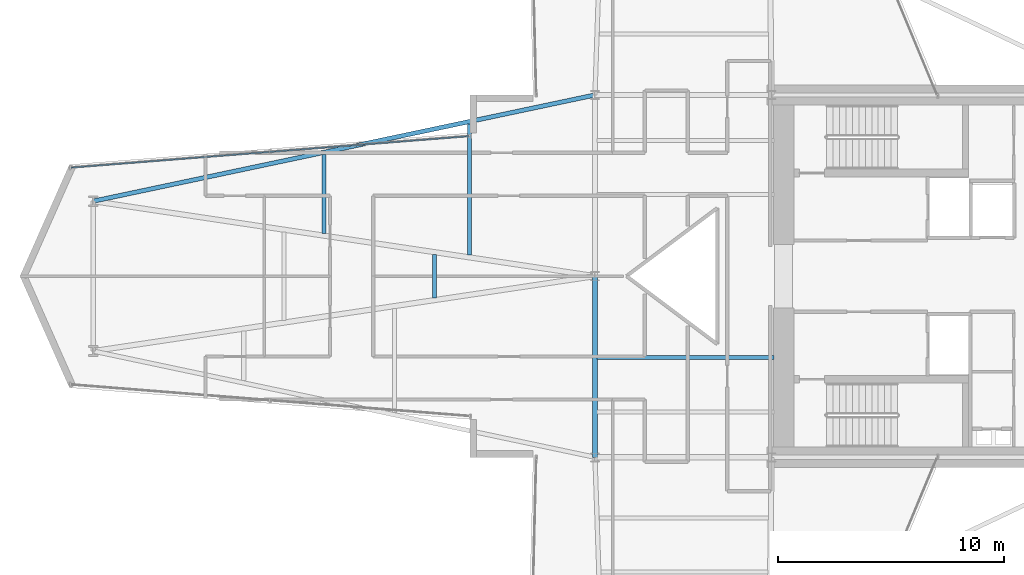
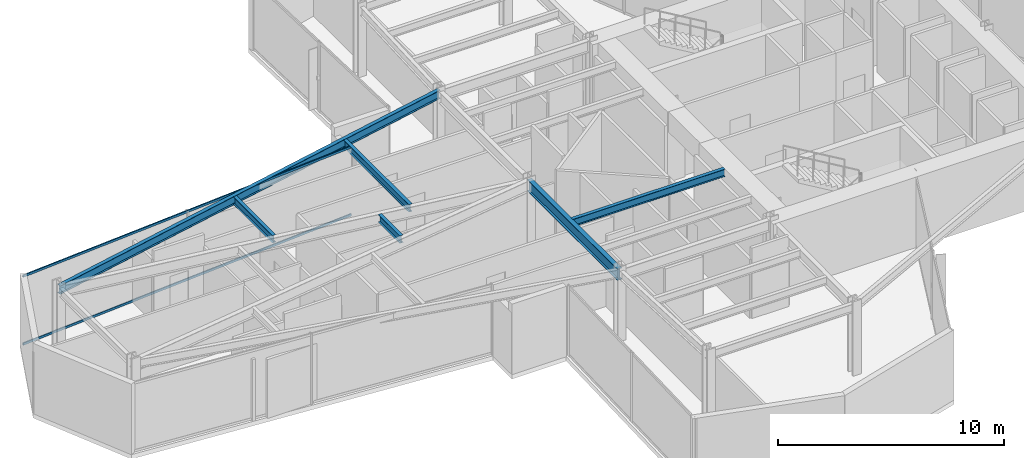
# One storey, part 8 of 24: 6 beams, 2 members, 1 element without a shape of its own.
"""IFC4 building model written with IfcOpenShell, lengths in metres."""

import ifcopenshell
import ifcopenshell.guid

model = None  # the IFC model being written
_history = None  # IfcOwnerHistory: only IFC2X3 demands one
_inside = {}  # id of a spatial element -> (the spatial element, [elements in it])
_under = {}  # id of a project, library or spatial element -> (it, [spatial elements below it])
_declared = {}  # id of a project -> (the project, [libraries it declares])
_typed = {}  # id of a type object -> (the type object, [elements of that type])
_made_of = {}  # id of a material, layer set ... -> (it, [elements and type objects made of it])


def new_model(schema):
    """Start an empty IFC model of exactly this schema.

    Asked for "IFC4X3", IfcOpenShell would pick the latest addendum, in which some entities
    have other attributes; the version numbers below select the first issue.
    IFC2X3 requires an IfcOwnerHistory on every rooted entity: one is made here for all.
    """
    global model, _history
    if schema == "IFC4X3":
        model = ifcopenshell.file(schema_version=(4, 3, 0, 0))
    else:
        model = ifcopenshell.file(schema=schema)
    _inside.clear()
    _under.clear()
    _declared.clear()
    _typed.clear()
    _made_of.clear()
    _history = None
    if model.schema == "IFC2X3":
        org = make("IfcOrganization", Name="unknown")
        user = make(
            "IfcPersonAndOrganization",
            ThePerson=make("IfcPerson", FamilyName="unknown"),
            TheOrganization=org,
        )
        app = make(
            "IfcApplication",
            ApplicationDeveloper=org,
            Version="unknown",
            ApplicationFullName="unknown",
            ApplicationIdentifier="unknown",
        )
        _history = make(
            "IfcOwnerHistory",
            OwningUser=user,
            OwningApplication=app,
            ChangeAction="ADDED",
            CreationDate=0,
        )
    return model


def make(cls, **values):
    """One entity of the class cls with the attributes given. An attribute that is None is left unset."""
    return model.create_entity(
        cls, **{name: value for name, value in values.items() if value is not None}
    )


def rooted(cls, **values):
    """An entity with a GlobalId (a new one), such as an element, a storey or a relation."""
    return make(cls, GlobalId=ifcopenshell.guid.new(), OwnerHistory=_history, **values)


def si_unit(unit_type, name, prefix=None):
    """IfcSIUnit, for example si_unit("LENGTHUNIT", "METRE", prefix="MILLI")."""
    return make("IfcSIUnit", UnitType=unit_type, Prefix=prefix, Name=name)


def assignment(units):
    """IfcUnitAssignment: the units of a project."""
    return None if units is None else make("IfcUnitAssignment", Units=units)


def point(xyz):
    """IfcCartesianPoint."""
    return None if xyz is None else make("IfcCartesianPoint", Coordinates=xyz)


def direction(xyz):
    """IfcDirection."""
    return None if xyz is None else make("IfcDirection", DirectionRatios=xyz)


def frame(location, z_axis=None, x_axis=None):
    """IfcAxis2Placement3D, a coordinate frame: its origin and axes. An axis left out is left unset."""
    return make(
        "IfcAxis2Placement3D",
        Location=point(location),
        Axis=direction(z_axis),
        RefDirection=direction(x_axis),
    )


def frame_2d(location, x_axis=None):
    """IfcAxis2Placement2D, a coordinate frame in the plane: its origin and x axis."""
    return make(
        "IfcAxis2Placement2D", Location=point(location), RefDirection=direction(x_axis)
    )


def origin():
    """The frame at (0, 0, 0) with its axes left unset."""
    return frame((0.0, 0.0, 0.0))


def origin_2d():
    """The frame at (0, 0) in the plane with its x axis left unset."""
    return frame_2d((0.0, 0.0))


def place(relative_to, where):
    """IfcLocalPlacement: puts the frame where relative to a parent placement (None: the world)."""
    return make(
        "IfcLocalPlacement", PlacementRelTo=relative_to, RelativePlacement=where
    )


def context(
    kind, dimensions, precision=None, world=None, true_north=None, identifier=None
):
    """IfcGeometricRepresentationContext, for example the 3D "Model" context."""
    return make(
        "IfcGeometricRepresentationContext",
        ContextIdentifier=identifier,
        ContextType=kind,
        CoordinateSpaceDimension=dimensions,
        Precision=precision,
        WorldCoordinateSystem=world,
        TrueNorth=true_north,
    )


def subcontext(parent, identifier, kind, view, scale=None):
    """IfcGeometricRepresentationSubContext, for example "Body" below "Model"."""
    return make(
        "IfcGeometricRepresentationSubContext",
        ContextIdentifier=identifier,
        ContextType=kind,
        ParentContext=parent,
        TargetScale=scale,
        TargetView=view,
    )


def project(units=None, contexts=None):
    """IfcProject with its units and contexts."""
    return rooted(
        "IfcProject",
        Name="project",
        RepresentationContexts=contexts,
        UnitsInContext=assignment(units),
    )


def spatial(cls, under=None, at=None, **own):
    """A site, building, storey or space (cls), placed at a placement, below another one or the project."""
    s = rooted(cls, ObjectPlacement=at, **own)
    if under is not None:
        _under.setdefault(under.id(), (under, []))[1].append(s)
    return s


def profile(cls, at=None, kind="AREA", **sizes):
    """A parametric profile (cls). Its sizes go by their IFC names, for example OverallWidth=200.0."""
    return make(cls, ProfileType=kind, Position=at, **sizes)


def hollow_rectangle(**sizes):
    """IfcRectangleHollowProfileDef."""
    return profile("IfcRectangleHollowProfileDef", **sizes)


def i_section(**sizes):
    """IfcIShapeProfileDef."""
    return profile("IfcIShapeProfileDef", **sizes)


def extrude(swept, where, along, depth):
    """IfcExtrudedAreaSolid: the profile swept, set in the frame where, extruded along a direction by depth."""
    return make(
        "IfcExtrudedAreaSolid",
        SweptArea=swept,
        Position=where,
        ExtrudedDirection=direction(along),
        Depth=depth,
    )


def shape(context_of_items, identifier, shape_type, items):
    """IfcShapeRepresentation: the items that make up one representation, for example the "Body"."""
    return make(
        "IfcShapeRepresentation",
        ContextOfItems=context_of_items,
        RepresentationIdentifier=identifier,
        RepresentationType=shape_type,
        Items=items,
    )


def material(Name=None, Category=None):
    """IfcMaterial."""
    return make("IfcMaterial", Name=Name, Category=Category)


def layer(
    of_material, thickness, ventilated=None, Name=None, Category=None, Priority=None
):
    """IfcMaterialLayer: one layer of a wall or slab, of a material (None: an air gap)."""
    return make(
        "IfcMaterialLayer",
        Material=of_material,
        LayerThickness=thickness,
        IsVentilated=ventilated,
        Name=Name,
        Category=Category,
        Priority=Priority,
    )


def layer_set(layers, Name=None):
    """IfcMaterialLayerSet."""
    return make("IfcMaterialLayerSet", MaterialLayers=layers, LayerSetName=Name)


def material_profile(
    of_material, cross_section, Name=None, Category=None, Priority=None
):
    """IfcMaterialProfile: a cross section and its material."""
    return make(
        "IfcMaterialProfile",
        Name=Name,
        Material=of_material,
        Profile=cross_section,
        Priority=Priority,
        Category=Category,
    )


def profile_set(profiles, Name=None, composite=None):
    """IfcMaterialProfileSet."""
    return make(
        "IfcMaterialProfileSet",
        Name=Name,
        MaterialProfiles=profiles,
        CompositeProfile=composite,
    )


def made_of(thing, what):
    """Note that an element or type object is made of a material, layer set ...; save() writes the relation."""
    if what is not None:
        _made_of.setdefault(what.id(), (what, []))[1].append(thing)
    return thing


def type_object(cls, material=None, **own):
    """A type object (cls), such as IfcWallType, which elements share."""
    return made_of(rooted(cls, **own), material)


def element(
    cls,
    number,
    at=None,
    inside=None,
    cuts=None,
    type_object=None,
    material=None,
    context=None,
    identifier="Body",
    shape_type=None,
    held_by="IfcProductDefinitionShape",
    body=None,
    shapes=None,
    **own,
):
    """One element of the class cls, such as IfcWall. Its Tag is "e" and its number.

    at: its placement. inside: the storey or other place that contains it. cuts: it is an
    opening in that element (IfcRelVoidsElement). A single representation is given by context,
    identifier, shape_type and body (its items); several are given by shapes. held_by: the class
    of the entity that holds the representations. save() writes the other relations.
    """
    e = rooted(cls, Tag="e%d" % number, ObjectPlacement=at, **own)
    if body is not None:
        shapes = [shape(context, identifier, shape_type, body)]
    if shapes is not None:
        e.Representation = make(held_by, Representations=shapes)
    if inside is not None:
        _inside.setdefault(inside.id(), (inside, []))[1].append(e)
    if cuts is not None:
        rooted(
            "IfcRelVoidsElement", RelatingBuildingElement=cuts, RelatedOpeningElement=e
        )
    if type_object is not None:
        _typed.setdefault(type_object.id(), (type_object, []))[1].append(e)
    return made_of(e, material)


def aggregate(whole, parts):
    """IfcRelAggregates: a whole, such as a stair, and the parts it consists of."""
    return rooted("IfcRelAggregates", RelatingObject=whole, RelatedObjects=parts)


def save(model, path):
    """Write the relations noted so far, then the file.

    IfcRelAggregates (storeys below a building ...), IfcRelContainedInSpatialStructure (elements
    in a storey), IfcRelDefinesByType, IfcRelAssociatesMaterial and IfcRelDeclares: one each for
    every whole, place, type object, material and project.
    """
    for whole, parts in _under.values():
        aggregate(whole, parts)
    for where, things in _inside.values():
        rooted(
            "IfcRelContainedInSpatialStructure",
            RelatedElements=things,
            RelatingStructure=where,
        )
    for kind, things in _typed.values():
        rooted("IfcRelDefinesByType", RelatedObjects=things, RelatingType=kind)
    for what, things in _made_of.values():
        rooted("IfcRelAssociatesMaterial", RelatedObjects=things, RelatingMaterial=what)
    for by, libraries in _declared.values():
        rooted("IfcRelDeclares", RelatingContext=by, RelatedDefinitions=libraries)
    model.write(path)


model = new_model("IFC4")

# Units and contexts
model_context = context("Model", 3, precision=1e-05, world=origin(), true_north=direction((0.0, 1.0)))
body_context = subcontext(model_context, "Body", "Model", "MODEL_VIEW")
ifc_project = project(units=[si_unit("LENGTHUNIT", "METRE"), si_unit("AREAUNIT", "SQUARE_METRE"), si_unit("VOLUMEUNIT", "CUBIC_METRE"), si_unit("PLANEANGLEUNIT", "RADIAN"), si_unit("MASSUNIT", "GRAM", prefix="KILO")], contexts=[model_context])

# Site, building, storey
site_placement = place(None, origin())
site = spatial("IfcSite", under=ifc_project, at=site_placement, CompositionType="ELEMENT")
building_placement = place(site_placement, origin())
building = spatial("IfcBuilding", under=site, at=building_placement, Name="Veymaron Broadcast Tower", CompositionType="ELEMENT")
storey_placement = place(building_placement, frame((0.0, 0.0, 78.300048828125)))
storey = spatial("IfcBuildingStorey", under=building, at=storey_placement, Name="L17", CompositionType="ELEMENT", Elevation=78.300048828125)

# Beams
ifc_material_1 = material(Name="Structural steel ASTM A992 Gr 50", Category="steel")
ifc_material_profile_1 = material_profile(ifc_material_1, i_section(OverallWidth=0.22998046875, OverallDepth=0.616943359375, WebThickness=0.01318359375, FlangeThickness=0.022216796875, at=origin_2d()), Name="W610X140")
ifc_profile_set_1 = profile_set([ifc_material_profile_1], Name="Structural steel ASTM A992 Gr 50")
beam_type_1 = type_object("IfcBeamType", Name="BM-FG1", PredefinedType="BEAM", material=ifc_profile_set_1)
beam_1_placement = place(storey_placement, frame((31.199951171875, 16.0, 3.50146484375), z_axis=(0.0, 1.0, 0.0), x_axis=(-1.0, 0.0, 0.0)))
element("IfcBeam", 1, at=beam_1_placement, inside=storey, type_object=beam_type_1, Name="L17 primary structural floor girder", PredefinedType="BEAM", context=body_context, shape_type="SweptSolid", body=[
    extrude(i_section(OverallWidth=0.22998046875, OverallDepth=0.616943359375, WebThickness=0.01318359375, FlangeThickness=0.022216796875, at=origin_2d()), origin(), (0.0, 0.0, 1.0), 8.0),
])
ifc_material_profile_2 = material_profile(ifc_material_1, i_section(OverallWidth=0.177978515625, OverallDepth=0.406982421875, WebThickness=0.0078125, FlangeThickness=0.0126953125, at=origin_2d()), Name="W410X60")
ifc_profile_set_2 = profile_set([ifc_material_profile_2], Name="Structural steel ASTM A992 Gr 50")
beam_type_2 = type_object("IfcBeamType", Name="BM-JS1", PredefinedType="JOIST", material=ifc_profile_set_2)
beam_2_placement = place(storey_placement, frame((19.234619140625, 25.887451171875, 3.6064453125), z_axis=(0.0, 1.0, 0.0), x_axis=(-1.0, 0.0, 0.0)))
element("IfcBeam", 2, at=beam_2_placement, inside=storey, type_object=beam_type_2, Name="L17 Arm-A secondary joist 1N", PredefinedType="JOIST", context=body_context, shape_type="SweptSolid", body=[
    extrude(i_section(OverallWidth=0.177978515625, OverallDepth=0.406982421875, WebThickness=0.0078125, FlangeThickness=0.0126953125, at=origin_2d()), origin(), (0.0, 0.0, 1.0), 3.47998046875),
])
beam_3_placement = place(storey_placement, frame((24.109375, 23.040771484375, 3.6064453125), z_axis=(0.0, 1.0, 0.0), x_axis=(-1.0, 0.0, 0.0)))
element("IfcBeam", 3, at=beam_3_placement, inside=storey, type_object=beam_type_2, Name="L17 Arm-A secondary joist 2M", PredefinedType="JOIST", context=body_context, shape_type="SweptSolid", body=[
    extrude(i_section(OverallWidth=0.177978515625, OverallDepth=0.406982421875, WebThickness=0.0078125, FlangeThickness=0.0126953125, at=origin_2d()), origin(), (0.0, 0.0, 1.0), 1.91845703125),
])
beam_4_placement = place(storey_placement, frame((25.660400390625, 24.927490234375, 3.6064453125), z_axis=(0.0, 1.0, 0.0), x_axis=(-1.0, 0.0, 0.0)))
element("IfcBeam", 4, at=beam_4_placement, inside=storey, type_object=beam_type_2, Name="L17 Arm-A secondary joist 2N", PredefinedType="JOIST", context=body_context, shape_type="SweptSolid", body=[
    extrude(i_section(OverallWidth=0.177978515625, OverallDepth=0.406982421875, WebThickness=0.0078125, FlangeThickness=0.0126953125, at=origin_2d()), origin(), (0.0, 0.0, 1.0), 5.800048828125),
])
beam_5_placement = place(storey_placement, frame((31.300048828125, 20.39990234375, 3.6064453125), z_axis=(1.0, 0.0, 0.0), x_axis=(0.0, 1.0, 0.0)))
element("IfcBeam", 5, at=beam_5_placement, inside=storey, type_object=beam_type_2, Name="L17 Hub secondary joist 2", PredefinedType="JOIST", context=body_context, shape_type="SweptSolid", body=[
    extrude(i_section(OverallWidth=0.177978515625, OverallDepth=0.406982421875, WebThickness=0.0078125, FlangeThickness=0.0126953125, at=origin_2d()), origin(), (0.0, 0.0, 1.0), 7.800048828125),
])
ifc_material_profile_3 = material_profile(ifc_material_1, i_section(OverallWidth=0.19091796875, OverallDepth=0.4599609375, WebThickness=0.010009765625, FlangeThickness=0.01611328125, at=origin_2d()), Name="W460X82")
ifc_profile_set_3 = profile_set([ifc_material_profile_3], Name="Structural steel ASTM A992 Gr 50")
beam_type_3 = type_object("IfcBeamType", Name="BM-SP1", PredefinedType="SPANDREL", material=ifc_profile_set_3)
beam_6_placement = place(storey_placement, frame((9.0419921875, 27.31005859375, 3.579833984375), z_axis=(0.978325730087, 0.207071885708, 0.0), x_axis=(-0.207071885708, 0.978325730087, 0.0)))
element("IfcBeam", 6, at=beam_6_placement, inside=storey, type_object=beam_type_3, Name="L17 primary structural floor girder", PredefinedType="SPANDREL", context=body_context, shape_type="SweptSolid", body=[
    extrude(i_section(OverallWidth=0.19091796875, OverallDepth=0.4599609375, WebThickness=0.010009765625, FlangeThickness=0.01611328125, at=origin_2d()), origin(), (0.0, 0.0, 1.0), 22.64892578125),
])

# Curtain wall, members
ifc_material_2 = material(Name="Anodised aluminium AA 6063-T6 and laminated low-E dark glass", Category="aluminium")
ifc_layer = layer(ifc_material_2, 0.179931640625)
ifc_layer_set = layer_set([ifc_layer], Name="Anodised aluminium AA 6063-T6 and laminated low-E dark glass")
curtain_wall_type = type_object("IfcCurtainWallType", Name="CW-SYS-02", PredefinedType="NOTDEFINED", material=ifc_layer_set)
curtain_wall_placement = place(storey_placement, origin())
curtain_wall = element("IfcCurtainWall", 7, at=curtain_wall_placement, inside=storey, type_object=curtain_wall_type, Name="L17 dark-glass curtain wall CW-L17-E11-1", PredefinedType="NOTDEFINED")
ifc_material_3 = material(Name="Anodised aluminium AA 6063-T6", Category="aluminium")
ifc_material_profile_4 = material_profile(ifc_material_3, hollow_rectangle(XDim=0.06005859375, YDim=0.1201171875, WallThickness=0.00390625, at=origin_2d()), Name="AL120X60X4")
ifc_profile_set_4 = profile_set([ifc_material_profile_4], Name="Anodised aluminium AA 6063-T6")
member_type = type_object("IfcMemberType", Name="CW-TRN-02", PredefinedType="USERDEFINED", material=ifc_profile_set_4)
member_1_placement = place(storey_placement, frame((25.649169921875, 30.18115234375, 0.070068359375), z_axis=(-0.996892203144, -0.078777758981, 0.0), x_axis=(0.078777758981, -0.996892203144, 0.0)))
member_1 = element("IfcMember", 8, at=member_1_placement, type_object=member_type, Name="CW-L17-E11-1 transom B", ObjectType="TRANSOM", PredefinedType="USERDEFINED", context=body_context, shape_type="SweptSolid", body=[
    extrude(hollow_rectangle(XDim=0.06005859375, YDim=0.1201171875, WallThickness=0.00390625, at=origin_2d()), origin(), (0.0, 0.0, 1.0), 17.643310546875),
])
member_2_placement = place(storey_placement, frame((25.649169921875, 30.18115234375, 3.739990234375), z_axis=(-0.996892203144, -0.078777758981, 0.0), x_axis=(0.078777758981, -0.996892203144, 0.0)))
member_2 = element("IfcMember", 9, at=member_2_placement, type_object=member_type, Name="CW-L17-E11-1 transom T", ObjectType="TRANSOM", PredefinedType="USERDEFINED", context=body_context, shape_type="SweptSolid", body=[
    extrude(hollow_rectangle(XDim=0.06005859375, YDim=0.1201171875, WallThickness=0.00390625, at=origin_2d()), origin(), (0.0, 0.0, 1.0), 17.643310546875),
])
aggregate(curtain_wall, [member_1, member_2])

save(model, "model.ifc")
